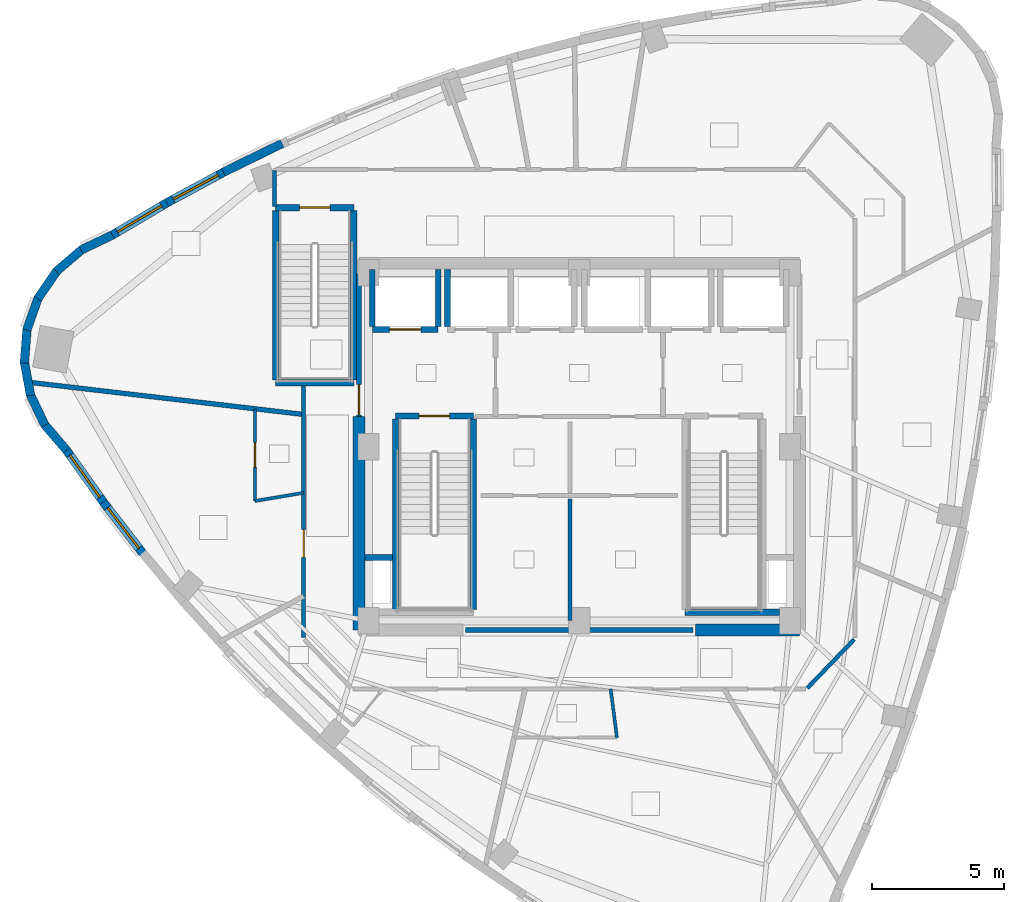
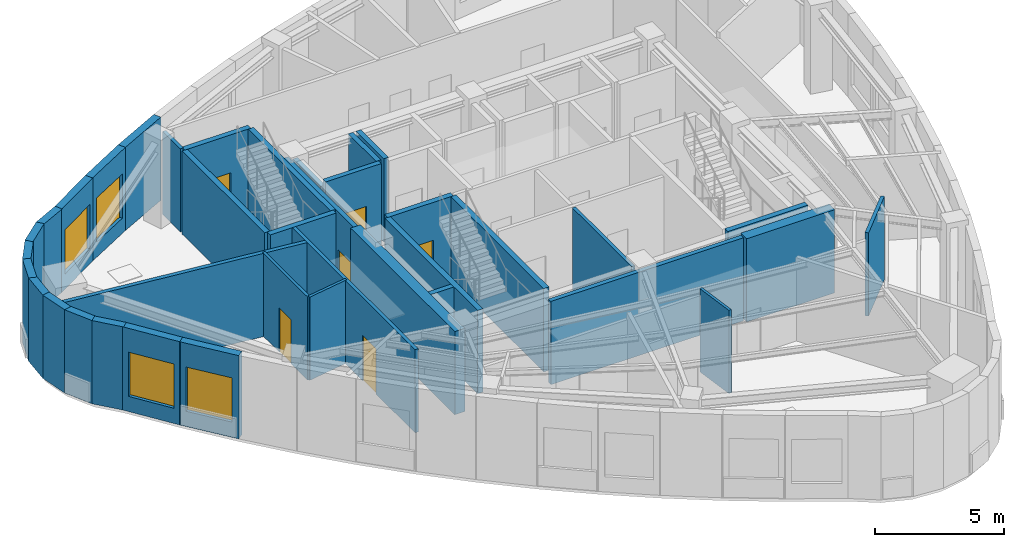
# One storey, part 3 of 9: 38 walls, 6 doors, 4 windows, 10 openings.
"""IFC4 building model written with IfcOpenShell, lengths in metres."""

from ifc_helpers import new_model, si_unit, direction, frame, frame_2d, origin, place, context, subcontext, project, spatial, rectangle, extrude, material, layer, layer_set, type_object, element, fill, save


model = new_model("IFC4")

# Units and contexts
model_context = context("Model", 3, precision=1e-05, world=origin(), true_north=direction((0.0, 1.0)))
body_context = subcontext(model_context, "Body", "Model", "MODEL_VIEW")
ifc_project = project(units=[si_unit("LENGTHUNIT", "METRE"), si_unit("AREAUNIT", "SQUARE_METRE"), si_unit("VOLUMEUNIT", "CUBIC_METRE"), si_unit("PLANEANGLEUNIT", "RADIAN"), si_unit("MASSUNIT", "GRAM", prefix="KILO")], contexts=[model_context])

# Site, building, storey
site_placement = place(None, origin())
site = spatial("IfcSite", under=ifc_project, at=site_placement, CompositionType="ELEMENT")
building_placement = place(site_placement, origin())
building = spatial("IfcBuilding", under=site, at=building_placement, Name="Ndelora Gate Hotel", CompositionType="ELEMENT")
storey_placement = place(building_placement, frame((0.0, 0.0, 264.39990234375)))
storey = spatial("IfcBuildingStorey", under=building, at=storey_placement, Name="L66", CompositionType="ELEMENT", Elevation=264.39990234375)

# Walls
ifc_material_1 = material(Name="Acoustic Double-Stud Gypsum Assembly", Category="gypsum")
ifc_layer_1 = layer(ifc_material_1, 0.179931640625)
ifc_layer_set_1 = layer_set([ifc_layer_1], Name="Acoustic Double-Stud Gypsum Assembly")
wall_type_1 = type_object("IfcWallType", Name="WL-ACOUST-180", PredefinedType="PARTITIONING", material=ifc_layer_set_1)
wall_1_placement = place(storey_placement, frame((-10.449951171875, 1.225830078125, 0.0), z_axis=(0.0, 0.0, 1.0), x_axis=(-0.993188711069, 0.116516883775, 0.0)))
element("IfcWall", 1, at=wall_1_placement, inside=storey, type_object=wall_type_1, Name="L66 Interior Wall IW-3", PredefinedType="PARTITIONING", context=body_context, shape_type="SweptSolid", body=[
    extrude(rectangle(XDim=10.52490234375, YDim=0.179931640625, at=frame_2d((5.262451171875, 0.0))), origin(), (0.0, 0.0, 1.0), 3.9501953125),
])
ifc_material_2 = material(Name="Clay Brick Masonry", Category="masonry")
ifc_layer_2 = layer(ifc_material_2, 0.330078125)
ifc_layer_set_2 = layer_set([ifc_layer_2], Name="Clay Brick Masonry")
wall_type_2 = type_object("IfcWallType", Name="WL-BRICK-330", PredefinedType="SOLIDWALL", material=ifc_layer_set_2)
for number, where, z_axis, x_axis, name in (
    (2, (-18.885498046875, 7.468505859375, 0.0), (0.0, 0.0, 1.0), (0.902555514619, 0.430573504794, 0.0), "L66 Tower Brick Pier-and-Spandrel Wall TWR-1"),
    (3, (-19.834716796875, 6.6494140625, 0.0), (0.0, 0.0, 1.0), (0.760392956728, 0.649463279453, 0.0), "L66 Tower Brick Pier-and-Spandrel Wall TWR-2"),
):
    element("IfcWall", number, at=place(storey_placement, frame(where, z_axis=z_axis, x_axis=x_axis)), inside=storey, type_object=wall_type_2, Name=name, PredefinedType="SOLIDWALL", context=body_context, shape_type="SweptSolid", body=[
        extrude(rectangle(XDim=1.302978515625, YDim=0.330078125, at=frame_2d((0.6513671875, 0.0))), origin(), (0.0, 0.0, 1.0), 3.9501953125),
    ])
for number, where, z_axis, x_axis, name in (
    (4, (-20.539794921875, 5.6123046875, 0.0), (0.0, 0.0, 1.0), (0.566489070283, 0.824069252703, 0.0), "L66 Tower Brick Pier-and-Spandrel Wall TWR-3"),
    (5, (-20.9521484375, 4.427978515625, 0.0), (0.0, 0.0, 1.0), (0.333819400431, 0.942637049927, 0.0), "L66 Tower Brick Pier-and-Spandrel Wall TWR-4"),
):
    element("IfcWall", number, at=place(storey_placement, frame(where, z_axis=z_axis, x_axis=x_axis)), inside=storey, type_object=wall_type_2, Name=name, PredefinedType="SOLIDWALL", context=body_context, shape_type="SweptSolid", body=[
        extrude(rectangle(XDim=1.30322265625, YDim=0.330078125, at=frame_2d((0.651611328125, 0.0))), origin(), (0.0, 0.0, 1.0), 3.9501953125),
    ])
wall_2_placement = place(storey_placement, frame((-21.044189453125, 3.177734375, 0.0), z_axis=(0.0, 0.0, 1.0), x_axis=(0.078516255123, 0.996912833542, 0.0)))
element("IfcWall", 6, at=wall_2_placement, inside=storey, type_object=wall_type_2, Name="L66 Tower Brick Pier-and-Spandrel Wall TWR-5", PredefinedType="SOLIDWALL", context=body_context, shape_type="SweptSolid", body=[
    extrude(rectangle(XDim=1.302734375, YDim=0.330078125, at=frame_2d((0.6513671875, 0.0))), origin(), (0.0, 0.0, 1.0), 3.9501953125),
])
for number, where, z_axis, x_axis, name in (
    (7, (-20.80908203125, 1.94580078125, 0.0), (0.0, 0.0, 1.0), (-0.182263659941, 0.983249692736, 0.0), "L66 Tower Brick Pier-and-Spandrel Wall TWR-6"),
    (8, (-20.263427734375, 0.81689453125, 0.0), (0.0, 0.0, 1.0), (-0.430653300408, 0.90251744296, 0.0), "L66 Tower Brick Pier-and-Spandrel Wall TWR-7"),
):
    element("IfcWall", number, at=place(storey_placement, frame(where, z_axis=z_axis, x_axis=x_axis)), inside=storey, type_object=wall_type_2, Name=name, PredefinedType="SOLIDWALL", context=body_context, shape_type="SweptSolid", body=[
        extrude(rectangle(XDim=1.30322265625, YDim=0.330078125, at=frame_2d((0.651611328125, 0.0))), origin(), (0.0, 0.0, 1.0), 3.9501953125),
    ])
wall_3_placement = place(storey_placement, frame((-19.4443359375, -0.13232421875, 0.0), z_axis=(0.0, 0.0, 1.0), x_axis=(-0.649463279453, 0.760392956728, 0.0)))
element("IfcWall", 9, at=wall_3_placement, inside=storey, type_object=wall_type_2, Name="L66 Tower Brick Pier-and-Spandrel Wall TWR-8", PredefinedType="SOLIDWALL", context=body_context, shape_type="SweptSolid", body=[
    extrude(rectangle(XDim=1.302978515625, YDim=0.330078125, at=frame_2d((0.6513671875, 0.0))), origin(), (0.0, 0.0, 1.0), 3.9501953125),
])

# Wall, opening, window
wall_4_placement = place(storey_placement, frame((-18.02197265625, -2.135498046875, 0.0), z_axis=(0.0, 0.0, 1.0), x_axis=(-0.579707768808, 0.814824461331, 0.0)))
wall_4 = element("IfcWall", 10, at=wall_4_placement, inside=storey, type_object=wall_type_2, Name="L66 Tower Brick Pier-and-Spandrel Wall TWR-9", PredefinedType="SOLIDWALL", context=body_context, shape_type="SweptSolid", body=[
    extrude(rectangle(XDim=2.506591796875, YDim=0.330078125, at=frame_2d((1.25341796875, 0.0))), origin(), (0.0, 0.0, 1.0), 3.9501953125),
])
opening_1_placement = place(wall_4_placement, frame((0.2783203125, 0.0, 0.719970703125)))
opening_1 = element("IfcOpeningElement", 11, at=opening_1_placement, cuts=wall_4, Name="Opening W08", PredefinedType="OPENING", context=body_context, shape_type="SweptSolid", body=[
    extrude(rectangle(XDim=1.949951171875, YDim=2.10009765625, at=frame_2d((0.97509765625, 1.050048828125))), frame((0.0, 0.175048828125, 0.0), z_axis=(0.0, -1.0, 0.0), x_axis=(1.0, 0.0, 0.0)), (0.0, 0.0, 1.0), 0.35009765625),
])
ifc_material_3 = material(Name="Insulated Low-E Double Glazing in Bronze Aluminium Frame", Category="aluminium")
window_type = type_object("IfcWindowType", Name="WN-PENT-2250", PartitioningType="SINGLE_PANEL", PredefinedType="WINDOW", material=ifc_material_3)
window_1_placement = place(opening_1_placement, origin())
window_1 = element("IfcWindow", 12, at=window_1_placement, inside=storey, type_object=window_type, Name="L66 Deep-Set Brick-Pier Window W08", OverallHeight=2.10009765625, OverallWidth=1.949951171875, PartitioningType="SINGLE_PANEL", PredefinedType="WINDOW", context=body_context, shape_type="SweptSolid", body=[
    extrude(rectangle(XDim=1.949951171875, YDim=2.10009765625, at=frame_2d((0.97509765625, 1.050048828125))), frame((0.0, 0.030029296875, 0.0), z_axis=(0.0, -1.0, 0.0), x_axis=(1.0, 0.0, 0.0)), (0.0, 0.0, 1.0), 0.06005859375),
])
fill(opening_1, window_1)

wall_5_placement = place(storey_placement, frame((-16.531982421875, -4.064453125, 0.0), z_axis=(0.0, 0.0, 1.0), x_axis=(-0.610966936387, 0.791656113879, 0.0)))
wall_5 = element("IfcWall", 13, at=wall_5_placement, inside=storey, type_object=wall_type_2, Name="L66 Tower Brick Pier-and-Spandrel Wall TWR-10", PredefinedType="SOLIDWALL", context=body_context, shape_type="SweptSolid", body=[
    extrude(rectangle(XDim=2.487548828125, YDim=0.330078125, at=frame_2d((1.24365234375, 0.0))), origin(), (0.0, 0.0, 1.0), 3.9501953125),
])
opening_2_placement = place(wall_5_placement, frame((0.278564453125, 0.0, 0.719970703125)))
opening_2 = element("IfcOpeningElement", 14, at=opening_2_placement, cuts=wall_5, Name="Opening W08", PredefinedType="OPENING", context=body_context, shape_type="SweptSolid", body=[
    extrude(rectangle(XDim=1.929931640625, YDim=2.10009765625, at=frame_2d((0.96484375, 1.050048828125))), frame((0.0, 0.175048828125, 0.0), z_axis=(0.0, -1.0, 0.0), x_axis=(1.0, 0.0, 0.0)), (0.0, 0.0, 1.0), 0.35009765625),
])
window_2_placement = place(opening_2_placement, origin())
window_2 = element("IfcWindow", 15, at=window_2_placement, inside=storey, type_object=window_type, Name="L66 Deep-Set Brick-Pier Window W08", OverallHeight=2.10009765625, OverallWidth=1.929931640625, PartitioningType="SINGLE_PANEL", PredefinedType="WINDOW", context=body_context, shape_type="SweptSolid", body=[
    extrude(rectangle(XDim=1.929931640625, YDim=2.10009765625, at=frame_2d((0.96484375, 1.050048828125))), frame((0.0, 0.030029296875, 0.0), z_axis=(0.0, -1.0, 0.0), x_axis=(1.0, 0.0, 0.0)), (0.0, 0.0, 1.0), 0.06005859375),
])
fill(opening_2, window_2)

# Wall
wall_6_placement = place(storey_placement, frame((-13.494140625, 10.414306640625, 0.0), z_axis=(0.0, 0.0, 1.0), x_axis=(0.898187681561, 0.43961220262, 0.0)))
element("IfcWall", 16, at=wall_6_placement, inside=storey, type_object=wall_type_2, Name="L66 Tower Brick Pier-and-Spandrel Wall TWR-58", PredefinedType="SOLIDWALL", context=body_context, shape_type="SweptSolid", body=[
    extrude(rectangle(XDim=2.471923828125, YDim=0.330078125, at=frame_2d((1.23583984375, 0.0))), origin(), (0.0, 0.0, 1.0), 3.9501953125),
])

# Wall, opening, window
wall_7_placement = place(storey_placement, frame((-15.638916015625, 9.25634765625, 0.0), z_axis=(0.0, 0.0, 1.0), x_axis=(0.880117873334, 0.474755230659, 0.0)))
wall_7 = element("IfcWall", 17, at=wall_7_placement, inside=storey, type_object=wall_type_2, Name="L66 Tower Brick Pier-and-Spandrel Wall TWR-59", PredefinedType="SOLIDWALL", context=body_context, shape_type="SweptSolid", body=[
    extrude(rectangle(XDim=2.4873046875, YDim=0.330078125, at=frame_2d((1.24365234375, 0.0))), origin(), (0.0, 0.0, 1.0), 3.9501953125),
])
opening_3_placement = place(wall_7_placement, frame((0.27880859375, 0.0, 0.719970703125)))
opening_3 = element("IfcOpeningElement", 18, at=opening_3_placement, cuts=wall_7, Name="Opening W08", PredefinedType="OPENING", context=body_context, shape_type="SweptSolid", body=[
    extrude(rectangle(XDim=1.929931640625, YDim=2.10009765625, at=frame_2d((0.96484375, 1.050048828125))), frame((0.0, 0.175048828125, 0.0), z_axis=(0.0, -1.0, 0.0), x_axis=(1.0, 0.0, 0.0)), (0.0, 0.0, 1.0), 0.35009765625),
])
window_3_placement = place(opening_3_placement, origin())
window_3 = element("IfcWindow", 19, at=window_3_placement, inside=storey, type_object=window_type, Name="L66 Deep-Set Brick-Pier Window W08", OverallHeight=2.10009765625, OverallWidth=1.929931640625, PartitioningType="SINGLE_PANEL", PredefinedType="WINDOW", context=body_context, shape_type="SweptSolid", body=[
    extrude(rectangle(XDim=1.929931640625, YDim=2.10009765625, at=frame_2d((0.96484375, 1.050048828125))), frame((0.0, 0.030029296875, 0.0), z_axis=(0.0, -1.0, 0.0), x_axis=(1.0, 0.0, 0.0)), (0.0, 0.0, 1.0), 0.06005859375),
])
fill(opening_3, window_3)

wall_8_placement = place(storey_placement, frame((-17.75341796875, 8.006103515625, 0.0), z_axis=(0.0, 0.0, 1.0), x_axis=(0.860971125789, 0.508653831754, 0.0)))
wall_8 = element("IfcWall", 20, at=wall_8_placement, inside=storey, type_object=wall_type_2, Name="L66 Tower Brick Pier-and-Spandrel Wall TWR-60", PredefinedType="SOLIDWALL", context=body_context, shape_type="SweptSolid", body=[
    extrude(rectangle(XDim=2.50634765625, YDim=0.330078125, at=frame_2d((1.253173828125, 0.0))), origin(), (0.0, 0.0, 1.0), 3.9501953125),
])
opening_4_placement = place(wall_8_placement, frame((0.2783203125, 0.0, 0.719970703125)))
opening_4 = element("IfcOpeningElement", 21, at=opening_4_placement, cuts=wall_8, Name="Opening W08", PredefinedType="OPENING", context=body_context, shape_type="SweptSolid", body=[
    extrude(rectangle(XDim=1.949951171875, YDim=2.10009765625, at=frame_2d((0.97509765625, 1.050048828125))), frame((0.0, 0.175048828125, 0.0), z_axis=(0.0, -1.0, 0.0), x_axis=(1.0, 0.0, 0.0)), (0.0, 0.0, 1.0), 0.35009765625),
])
window_4_placement = place(opening_4_placement, origin())
window_4 = element("IfcWindow", 22, at=window_4_placement, inside=storey, type_object=window_type, Name="L66 Deep-Set Brick-Pier Window W08", OverallHeight=2.10009765625, OverallWidth=1.949951171875, PartitioningType="SINGLE_PANEL", PredefinedType="WINDOW", context=body_context, shape_type="SweptSolid", body=[
    extrude(rectangle(XDim=1.949951171875, YDim=2.10009765625, at=frame_2d((0.97509765625, 1.050048828125))), frame((0.0, 0.030029296875, 0.0), z_axis=(0.0, -1.0, 0.0), x_axis=(1.0, 0.0, 0.0)), (0.0, 0.0, 1.0), 0.06005859375),
])
fill(opening_4, window_4)

# Walls
ifc_material_4 = material(Name="Concrete C50/60", Category="concrete")
ifc_layer_3 = layer(ifc_material_4, 0.449951171875)
ifc_layer_set_3 = layer_set([ifc_layer_3], Name="Concrete C50/60")
wall_type_3 = type_object("IfcWallType", Name="WL-CORE-450", PredefinedType="SHEAR", material=ifc_layer_set_3)
wall_9_placement = place(storey_placement, frame((4.39990234375, -6.949951171875, 0.0), z_axis=(0.0, 0.0, 1.0), x_axis=(1.0, 0.0, 0.0)))
element("IfcWall", 23, at=wall_9_placement, inside=storey, type_object=wall_type_3, Name="L66 Core Shear Wall S-E", PredefinedType="SHEAR", context=body_context, shape_type="SweptSolid", body=[
    extrude(rectangle(XDim=3.9501953125, YDim=0.449951171875, at=frame_2d((1.97509765625, 0.0))), origin(), (0.0, 0.0, 1.0), 3.9501953125),
])
wall_10_placement = place(storey_placement, frame((-8.35009765625, -6.949951171875, 0.0), z_axis=(0.0, 0.0, 1.0), x_axis=(0.0, 1.0, 0.0)))
element("IfcWall", 24, at=wall_10_placement, inside=storey, type_object=wall_type_3, Name="L66 Core Shear Wall W", PredefinedType="SHEAR", context=body_context, shape_type="SweptSolid", body=[
    extrude(rectangle(XDim=8.099853515625, YDim=0.449951171875, at=frame_2d((4.0498046875, 0.0))), origin(), (0.0, 0.0, 1.0), 3.9501953125),
])

# Wall, opening, door
ifc_material_5 = material(Name="Concrete C40/50", Category="concrete")
ifc_layer_4 = layer(ifc_material_5, 0.199951171875)
ifc_layer_set_4 = layer_set([ifc_layer_4], Name="Concrete C40/50")
wall_type_4 = type_object("IfcWallType", Name="WL-FIRE-200", PredefinedType="PARTITIONING", material=ifc_layer_set_4)
wall_11_placement = place(storey_placement, frame((-8.35009765625, 1.14990234375, 0.0), z_axis=(0.0, 0.0, 1.0), x_axis=(0.0, 1.0, 0.0)))
wall_11 = element("IfcWall", 25, at=wall_11_placement, inside=storey, type_object=wall_type_4, Name="L66 Interior Wall IW-2", PredefinedType="PARTITIONING", context=body_context, shape_type="SweptSolid", body=[
    extrude(rectangle(XDim=5.400146484375, YDim=0.199951171875, at=frame_2d((2.7001953125, 0.0))), origin(), (0.0, 0.0, 1.0), 3.9501953125),
])
opening_5_placement = place(wall_11_placement, frame((0.06005859375, 0.0, 0.0)))
opening_5 = element("IfcOpeningElement", 26, at=opening_5_placement, cuts=wall_11, Name="Opening FD1", PredefinedType="OPENING", context=body_context, shape_type="SweptSolid", body=[
    extrude(rectangle(XDim=1.14990234375, YDim=2.14990234375, at=frame_2d((0.574951171875, 1.074951171875))), frame((0.0, 0.10986328125, 0.0), z_axis=(0.0, -1.0, 0.0), x_axis=(1.0, 0.0, 0.0)), (0.0, 0.0, 1.0), 0.219970703125),
])
ifc_material_6 = material(Name="Fire-Rated Timber-Veneer Steel Core", Category="steel")
door_type_1 = type_object("IfcDoorType", Name="DR-FD60", OperationType="SINGLE_SWING_LEFT", PredefinedType="DOOR", material=ifc_material_6)
door_1_placement = place(opening_5_placement, origin())
door_1 = element("IfcDoor", 27, at=door_1_placement, inside=storey, type_object=door_type_1, Name="L66 Firefighting Lobby West Corridor Door", OperationType="SINGLE_SWING_LEFT", OverallHeight=2.14990234375, OverallWidth=1.14990234375, PredefinedType="DOOR", context=body_context, shape_type="SweptSolid", body=[
    extrude(rectangle(XDim=1.14990234375, YDim=2.14990234375, at=frame_2d((0.574951171875, 1.074951171875))), frame((0.0, 0.02490234375, 0.0), z_axis=(0.0, -1.0, 0.0), x_axis=(1.0, 0.0, 0.0)), (0.0, 0.0, 1.0), 0.050048828125),
])
fill(opening_5, door_1)

# Walls
wall_12_placement = place(storey_placement, frame((-4.320068359375, -6.949951171875, 0.0), z_axis=(0.0, 0.0, 1.0), x_axis=(1.0, 0.0, 0.0)))
element("IfcWall", 28, at=wall_12_placement, inside=storey, type_object=wall_type_4, Name="L66 Interior Wall IW-2", PredefinedType="PARTITIONING", context=body_context, shape_type="SweptSolid", body=[
    extrude(rectangle(XDim=8.64013671875, YDim=0.199951171875, at=frame_2d((4.320068359375, 0.0))), origin(), (0.0, 0.0, 1.0), 3.9501953125),
])
ifc_material_7 = material(Name="Fire-Rated Gypsum Stud Partition", Category="gypsum")
ifc_layer_5 = layer(ifc_material_7, 0.14990234375)
ifc_layer_set_5 = layer_set([ifc_layer_5], Name="Fire-Rated Gypsum Stud Partition")
wall_type_5 = type_object("IfcWallType", Name="WL-PART-150", PredefinedType="PARTITIONING", material=ifc_layer_set_5)
wall_13_placement = place(storey_placement, frame((-0.35009765625, -6.580078125, 0.0), z_axis=(0.0, 0.0, 1.0), x_axis=(0.0, 1.0, 0.0)))
element("IfcWall", 29, at=wall_13_placement, inside=storey, type_object=wall_type_5, Name="L66 Interior Wall IW-5", PredefinedType="PARTITIONING", context=body_context, shape_type="SweptSolid", body=[
    extrude(rectangle(XDim=4.610107421875, YDim=0.14990234375, at=frame_2d((2.30517578125, 0.0))), origin(), (0.0, 0.0, 1.0), 3.9501953125),
])
wall_14_placement = place(storey_placement, frame((10.42236328125, -7.308837890625, 0.0), z_axis=(0.0, 0.0, 1.0), x_axis=(-0.693764562202, -0.720201869085, 0.0)))
element("IfcWall", 30, at=wall_14_placement, inside=storey, type_object=wall_type_5, Name="L66 Interior Wall IW-5", PredefinedType="PARTITIONING", context=body_context, shape_type="SweptSolid", body=[
    extrude(rectangle(XDim=2.55810546875, YDim=0.14990234375, at=frame_2d((1.279052734375, 0.0))), origin(), (0.0, 0.0, 1.0), 3.9501953125),
])
wall_15_placement = place(storey_placement, frame((-11.550048828125, 9.110107421875, 0.0), z_axis=(0.0, 0.0, 1.0), x_axis=(0.0, 1.0, 0.0)))
element("IfcWall", 31, at=wall_15_placement, inside=storey, type_object=wall_type_5, Name="L66 Interior Wall IW-5", PredefinedType="PARTITIONING", context=body_context, shape_type="SweptSolid", body=[
    extrude(rectangle(XDim=1.369873046875, YDim=0.14990234375, at=frame_2d((0.68505859375, 0.0))), origin(), (0.0, 0.0, 1.0), 3.9501953125),
])

# Wall, opening, door
wall_16_placement = place(storey_placement, frame((-10.449951171875, -7.239990234375, 0.0), z_axis=(0.0, 0.0, 1.0), x_axis=(0.0, 1.0, 0.0)))
wall_16 = element("IfcWall", 32, at=wall_16_placement, inside=storey, type_object=wall_type_5, Name="L66 Interior Wall IW-5", PredefinedType="PARTITIONING", context=body_context, shape_type="SweptSolid", body=[
    extrude(rectangle(XDim=9.6298828125, YDim=0.14990234375, at=frame_2d((4.81494140625, 0.0))), origin(), (0.0, 0.0, 1.0), 3.9501953125),
])
opening_6_placement = place(wall_16_placement, frame((3.043212890625, 0.0, 0.0)))
opening_6 = element("IfcOpeningElement", 33, at=opening_6_placement, cuts=wall_16, Name="Opening D07", PredefinedType="OPENING", context=body_context, shape_type="SweptSolid", body=[
    extrude(rectangle(XDim=1.06005859375, YDim=2.14990234375, at=frame_2d((0.530029296875, 1.074951171875))), frame((0.0, 0.0849609375, 0.0), z_axis=(0.0, -1.0, 0.0), x_axis=(1.0, 0.0, 0.0)), (0.0, 0.0, 1.0), 0.169921875),
])
ifc_material_8 = material(Name="Diplomatic Suite Acoustic Entrance Door", Category="wood")
door_type_2 = type_object("IfcDoorType", Name="DR-SUITE-1060", OperationType="SINGLE_SWING_LEFT", PredefinedType="DOOR", material=ifc_material_8)
door_2_placement = place(opening_6_placement, origin())
door_2 = element("IfcDoor", 34, at=door_2_placement, inside=storey, type_object=door_type_2, Name="L66 Crown Summit Suite 6901 Entrance Door", OperationType="SINGLE_SWING_LEFT", OverallHeight=2.14990234375, OverallWidth=1.06005859375, PredefinedType="DOOR", context=body_context, shape_type="SweptSolid", body=[
    extrude(rectangle(XDim=1.06005859375, YDim=2.14990234375, at=frame_2d((0.530029296875, 1.074951171875))), frame((0.0, 0.02490234375, 0.0), z_axis=(0.0, -1.0, 0.0), x_axis=(1.0, 0.0, 0.0)), (0.0, 0.0, 1.0), 0.050048828125),
])
fill(opening_6, door_2)

# Wall
ifc_layer_6 = layer(ifc_material_5, 0.219970703125)
ifc_layer_set_6 = layer_set([ifc_layer_6], Name="Concrete C40/50")
wall_type_6 = type_object("IfcWallType", Name="WL-SHAFT-220", PredefinedType="PARTITIONING", material=ifc_layer_set_6)
wall_17_placement = place(storey_placement, frame((-8.125, -4.199951171875, 0.0), z_axis=(0.0, 0.0, 1.0), x_axis=(1.0, 0.0, 0.0)))
element("IfcWall", 35, at=wall_17_placement, inside=storey, type_object=wall_type_6, Name="L66 Interior Wall IW-1", PredefinedType="PARTITIONING", context=body_context, shape_type="SweptSolid", body=[
    extrude(rectangle(XDim=1.034912109375, YDim=0.219970703125, at=frame_2d((0.517578125, 0.0))), origin(), (0.0, 0.0, 1.0), 3.9501953125),
])

# Wall, opening, door
wall_18_placement = place(storey_placement, frame((-7.85009765625, 4.449951171875, 0.0), z_axis=(0.0, 0.0, 1.0), x_axis=(1.0, 0.0, 0.0)))
wall_18 = element("IfcWall", 36, at=wall_18_placement, inside=storey, type_object=wall_type_6, Name="L66 Interior Wall IW-1", PredefinedType="PARTITIONING", context=body_context, shape_type="SweptSolid", body=[
    extrude(rectangle(XDim=2.5, YDim=0.219970703125, at=frame_2d((1.25, 0.0))), origin(), (0.0, 0.0, 1.0), 3.9501953125),
])
opening_7_placement = place(wall_18_placement, frame((0.659912109375, 0.0, 0.0)))
opening_7 = element("IfcOpeningElement", 37, at=opening_7_placement, cuts=wall_18, Name="Opening LD5", PredefinedType="OPENING", context=body_context, shape_type="SweptSolid", body=[
    extrude(rectangle(XDim=1.179931640625, YDim=2.14990234375, at=frame_2d((0.58984375, 1.074951171875))), frame((0.0, 0.1201171875, 0.0), z_axis=(0.0, -1.0, 0.0), x_axis=(1.0, 0.0, 0.0)), (0.0, 0.0, 1.0), 0.239990234375),
])
ifc_material_9 = material(Name="Firefighting Lift Stainless Sliding Landing Door", Category="metal")
door_type_3 = type_object("IfcDoorType", Name="DR-LD5", OperationType="DOUBLE_DOOR_SLIDING", PredefinedType="DOOR", material=ifc_material_9)
door_3_placement = place(opening_7_placement, origin())
door_3 = element("IfcDoor", 38, at=door_3_placement, inside=storey, type_object=door_type_3, Name="L66 Lift Landing Sliding Door FFL1", OperationType="DOUBLE_DOOR_SLIDING", OverallHeight=2.14990234375, OverallWidth=1.179931640625, PredefinedType="DOOR", context=body_context, shape_type="SweptSolid", body=[
    extrude(rectangle(XDim=1.179931640625, YDim=2.14990234375, at=frame_2d((0.58984375, 1.074951171875))), frame((0.0, 0.02490234375, 0.0), z_axis=(0.0, -1.0, 0.0), x_axis=(1.0, 0.0, 0.0)), (0.0, 0.0, 1.0), 0.050048828125),
])
fill(opening_7, door_3)

# Walls
wall_19_placement = place(storey_placement, frame((-7.85009765625, 4.570068359375, 0.0), z_axis=(0.0, 0.0, 1.0), x_axis=(0.0, 1.0, 0.0)))
element("IfcWall", 39, at=wall_19_placement, inside=storey, type_object=wall_type_6, Name="L66 Interior Wall IW-1", PredefinedType="PARTITIONING", context=body_context, shape_type="SweptSolid", body=[
    extrude(rectangle(XDim=2.155029296875, YDim=0.219970703125, at=frame_2d((1.07763671875, 0.0))), origin(), (0.0, 0.0, 1.0), 3.630126953125),
])
for number, where, z_axis, x_axis, name in (
    (40, (-5.35009765625, 4.570068359375, 0.0), (0.0, 0.0, 1.0), (0.0, 1.0, 0.0), "L66 Interior Wall IW-1"),
    (41, (-5.0, 4.570068359375, 0.0), (0.0, 0.0, 1.0), (0.0, 1.0, 0.0), "L66 Interior Wall IW-1"),
):
    element("IfcWall", number, at=place(storey_placement, frame(where, z_axis=z_axis, x_axis=x_axis)), inside=storey, type_object=wall_type_6, Name=name, PredefinedType="PARTITIONING", context=body_context, shape_type="SweptSolid", body=[
        extrude(rectangle(XDim=2.155029296875, YDim=0.219970703125, at=frame_2d((1.07763671875, 0.0))), origin(), (0.0, 0.0, 1.0), 3.9501953125),
    ])
ifc_layer_7 = layer(ifc_material_4, 0.239990234375)
ifc_layer_set_7 = layer_set([ifc_layer_7], Name="Concrete C50/60")
wall_type_7 = type_object("IfcWallType", Name="WL-STAIR-240", PredefinedType="SHEAR", material=ifc_layer_set_7)
for number, where, z_axis, x_axis, name in (
    (42, (-6.969970703125, -6.159912109375, 0.0), (0.0, 0.0, 1.0), (0.0, 1.0, 0.0), "L66 Stair Core Shear Wall SW-ST"),
    (43, (-4.010009765625, -6.159912109375, 0.0), (0.0, 0.0, 1.0), (0.0, 1.0, 0.0), "L66 Stair Core Shear Wall SW-ST"),
):
    element("IfcWall", number, at=place(storey_placement, frame(where, z_axis=z_axis, x_axis=x_axis)), inside=storey, type_object=wall_type_7, Name=name, PredefinedType="SHEAR", context=body_context, shape_type="SweptSolid", body=[
        extrude(rectangle(XDim=7.219970703125, YDim=0.239990234375, at=frame_2d((3.60986328125, 0.0))), origin(), (0.0, 0.0, 1.0), 3.9501953125),
    ])

# Wall, opening, door
wall_20_placement = place(storey_placement, frame((-6.969970703125, 1.169921875, 0.0), z_axis=(0.0, 0.0, 1.0), x_axis=(1.0, 0.0, 0.0)))
wall_20 = element("IfcWall", 44, at=wall_20_placement, inside=storey, type_object=wall_type_7, Name="L66 Stair Core Shear Wall SW-ST", PredefinedType="SHEAR", context=body_context, shape_type="SweptSolid", body=[
    extrude(rectangle(XDim=2.9599609375, YDim=0.239990234375, at=frame_2d((1.47998046875, 0.0))), origin(), (0.0, 0.0, 1.0), 3.9501953125),
])
opening_8_placement = place(wall_20_placement, frame((0.89990234375, 0.0, 0.0)))
opening_8 = element("IfcOpeningElement", 45, at=opening_8_placement, cuts=wall_20, Name="Opening FD1", PredefinedType="OPENING", context=body_context, shape_type="SweptSolid", body=[
    extrude(rectangle(XDim=1.14990234375, YDim=2.14990234375, at=frame_2d((0.574951171875, 1.074951171875))), frame((0.0, 0.1298828125, 0.0), z_axis=(0.0, -1.0, 0.0), x_axis=(1.0, 0.0, 0.0)), (0.0, 0.0, 1.0), 0.260009765625),
])
door_4_placement = place(opening_8_placement, origin())
door_4 = element("IfcDoor", 46, at=door_4_placement, inside=storey, type_object=door_type_1, Name="L66 Exit Stair ST4 Door", OperationType="SINGLE_SWING_LEFT", OverallHeight=2.14990234375, OverallWidth=1.14990234375, PredefinedType="DOOR", context=body_context, shape_type="SweptSolid", body=[
    extrude(rectangle(XDim=1.14990234375, YDim=2.14990234375, at=frame_2d((0.574951171875, 1.074951171875))), frame((0.0, 0.02490234375, 0.0), z_axis=(0.0, -1.0, 0.0), x_axis=(1.0, 0.0, 0.0)), (0.0, 0.0, 1.0), 0.050048828125),
])
fill(opening_8, door_4)

# Walls
wall_21_placement = place(storey_placement, frame((4.010009765625, -6.27001953125, 0.0), z_axis=(0.0, 0.0, 1.0), x_axis=(1.0, 0.0, 0.0)))
element("IfcWall", 47, at=wall_21_placement, inside=storey, type_object=wall_type_7, Name="L66 Stair Core Shear Wall SW-ST", PredefinedType="SHEAR", context=body_context, shape_type="SweptSolid", body=[
    extrude(rectangle(XDim=3.590087890625, YDim=0.239990234375, at=frame_2d((1.794921875, 0.0))), origin(), (0.0, 0.0, 1.0), 3.9501953125),
])
wall_22_placement = place(storey_placement, frame((-11.510009765625, 2.5400390625, 0.0), z_axis=(0.0, 0.0, 1.0), x_axis=(0.0, 1.0, 0.0)))
element("IfcWall", 48, at=wall_22_placement, inside=storey, type_object=wall_type_7, Name="L66 Stair Core Shear Wall SW-ST", PredefinedType="SHEAR", context=body_context, shape_type="SweptSolid", body=[
    extrude(rectangle(XDim=6.419921875, YDim=0.239990234375, at=frame_2d((3.2099609375, 0.0))), origin(), (0.0, 0.0, 1.0), 3.9501953125),
])
wall_23_placement = place(storey_placement, frame((-11.510009765625, 2.429931640625, 0.0), z_axis=(0.0, 0.0, 1.0), x_axis=(1.0, 0.0, 0.0)))
element("IfcWall", 49, at=wall_23_placement, inside=storey, type_object=wall_type_7, Name="L66 Stair Core Shear Wall SW-ST", PredefinedType="SHEAR", context=body_context, shape_type="SweptSolid", body=[
    extrude(rectangle(XDim=2.9599609375, YDim=0.239990234375, at=frame_2d((1.47998046875, 0.0))), origin(), (0.0, 0.0, 1.0), 3.9501953125),
])
wall_24_placement = place(storey_placement, frame((-8.550048828125, 2.5400390625, 0.0), z_axis=(0.0, 0.0, 1.0), x_axis=(0.0, 1.0, 0.0)))
element("IfcWall", 50, at=wall_24_placement, inside=storey, type_object=wall_type_7, Name="L66 Stair Core Shear Wall SW-ST", PredefinedType="SHEAR", context=body_context, shape_type="SweptSolid", body=[
    extrude(rectangle(XDim=6.419921875, YDim=0.239990234375, at=frame_2d((3.2099609375, 0.0))), origin(), (0.0, 0.0, 1.0), 3.9501953125),
])

# Wall, opening, door
wall_25_placement = place(storey_placement, frame((-8.550048828125, 9.070068359375, 0.0), z_axis=(0.0, 0.0, 1.0), x_axis=(-1.0, 0.0, 0.0)))
wall_25 = element("IfcWall", 51, at=wall_25_placement, inside=storey, type_object=wall_type_7, Name="L66 Stair Core Shear Wall SW-ST", PredefinedType="SHEAR", context=body_context, shape_type="SweptSolid", body=[
    extrude(rectangle(XDim=2.9599609375, YDim=0.239990234375, at=frame_2d((1.47998046875, 0.0))), origin(), (0.0, 0.0, 1.0), 3.9501953125),
])
opening_9_placement = place(wall_25_placement, frame((0.89990234375, 0.0, 0.0)))
opening_9 = element("IfcOpeningElement", 52, at=opening_9_placement, cuts=wall_25, Name="Opening FD1", PredefinedType="OPENING", context=body_context, shape_type="SweptSolid", body=[
    extrude(rectangle(XDim=1.14990234375, YDim=2.14990234375, at=frame_2d((0.574951171875, 1.074951171875))), frame((0.0, 0.1298828125, 0.0), z_axis=(0.0, -1.0, 0.0), x_axis=(1.0, 0.0, 0.0)), (0.0, 0.0, 1.0), 0.260009765625),
])
door_5_placement = place(opening_9_placement, origin())
door_5 = element("IfcDoor", 53, at=door_5_placement, inside=storey, type_object=door_type_1, Name="L66 Stair ST6 Door", OperationType="SINGLE_SWING_LEFT", OverallHeight=2.14990234375, OverallWidth=1.14990234375, PredefinedType="DOOR", context=body_context, shape_type="SweptSolid", body=[
    extrude(rectangle(XDim=1.14990234375, YDim=2.14990234375, at=frame_2d((0.574951171875, 1.074951171875))), frame((0.0, 0.02490234375, 0.0), z_axis=(0.0, -1.0, 0.0), x_axis=(1.0, 0.0, 0.0)), (0.0, 0.0, 1.0), 0.050048828125),
])
fill(opening_9, door_5)

# Wall
ifc_material_10 = material(Name="Moisture-Resistant Bathroom Tile Partition", Category="gypsum")
ifc_layer_8 = layer(ifc_material_10, 0.1201171875)
ifc_layer_set_8 = layer_set([ifc_layer_8], Name="Moisture-Resistant Bathroom Tile Partition")
wall_type_8 = type_object("IfcWallType", Name="WL-WET-120", PredefinedType="PARTITIONING", material=ifc_layer_set_8)
wall_26_placement = place(storey_placement, frame((-12.300048828125, -2.053955078125, 0.0), z_axis=(0.0, 0.0, 1.0), x_axis=(0.986351677294, 0.164652266004, 0.0)))
element("IfcWall", 54, at=wall_26_placement, inside=storey, type_object=wall_type_8, Name="L66 Interior Wall IW-7", PredefinedType="PARTITIONING", context=body_context, shape_type="SweptSolid", body=[
    extrude(rectangle(XDim=1.875732421875, YDim=0.1201171875, at=frame_2d((0.93798828125, 0.0))), origin(), (0.0, 0.0, 1.0), 3.9501953125),
])

# Wall, opening, door
wall_27_placement = place(storey_placement, frame((-12.300048828125, -2.053955078125, 0.0), z_axis=(0.0, 0.0, 1.0), x_axis=(0.0, 1.0, 0.0)))
wall_27 = element("IfcWall", 55, at=wall_27_placement, inside=storey, type_object=wall_type_8, Name="L66 Interior Wall IW-7", PredefinedType="PARTITIONING", context=body_context, shape_type="SweptSolid", body=[
    extrude(rectangle(XDim=3.496826171875, YDim=0.1201171875, at=frame_2d((1.74853515625, 0.0))), origin(), (0.0, 0.0, 1.0), 3.9501953125),
])
opening_10_placement = place(wall_27_placement, frame((1.288330078125, 0.0, 0.0)))
opening_10 = element("IfcOpeningElement", 56, at=opening_10_placement, cuts=wall_27, Name="Opening D03", PredefinedType="OPENING", context=body_context, shape_type="SweptSolid", body=[
    extrude(rectangle(XDim=0.919921875, YDim=2.10009765625, at=frame_2d((0.4599609375, 1.050048828125))), frame((0.0, 0.070068359375, 0.0), z_axis=(0.0, -1.0, 0.0), x_axis=(1.0, 0.0, 0.0)), (0.0, 0.0, 1.0), 0.14013671875),
])
ifc_material_11 = material(Name="Moisture-Resistant Hardwood En-Suite Door", Category="wood")
door_type_4 = type_object("IfcDoorType", Name="DR-BATH-920", OperationType="SINGLE_SWING_LEFT", PredefinedType="DOOR", material=ifc_material_11)
door_6_placement = place(opening_10_placement, origin())
door_6 = element("IfcDoor", 57, at=door_6_placement, inside=storey, type_object=door_type_4, Name="L66 En-suite Bathroom 6901 Door", OperationType="SINGLE_SWING_RIGHT", OverallHeight=2.10009765625, OverallWidth=0.919921875, PredefinedType="DOOR", context=body_context, shape_type="SweptSolid", body=[
    extrude(rectangle(XDim=0.919921875, YDim=2.10009765625, at=frame_2d((0.4599609375, 1.050048828125))), frame((0.0, 0.02490234375, 0.0), z_axis=(0.0, -1.0, 0.0), x_axis=(1.0, 0.0, 0.0)), (0.0, 0.0, 1.0), 0.050048828125),
])
fill(opening_10, door_6)

# Wall
wall_28_placement = place(storey_placement, frame((1.190185546875, -9.179931640625, 0.0), z_axis=(0.0, 0.0, 1.0), x_axis=(0.128639829388, -0.991691380569, 0.0)))
element("IfcWall", 58, at=wall_28_placement, inside=storey, type_object=wall_type_8, Name="L66 Interior Wall IW-7", PredefinedType="PARTITIONING", context=body_context, shape_type="SweptSolid", body=[
    extrude(rectangle(XDim=1.865478515625, YDim=0.1201171875, at=frame_2d((0.9326171875, 0.0))), origin(), (0.0, 0.0, 1.0), 3.9501953125),
])

save(model, "model.ifc")
